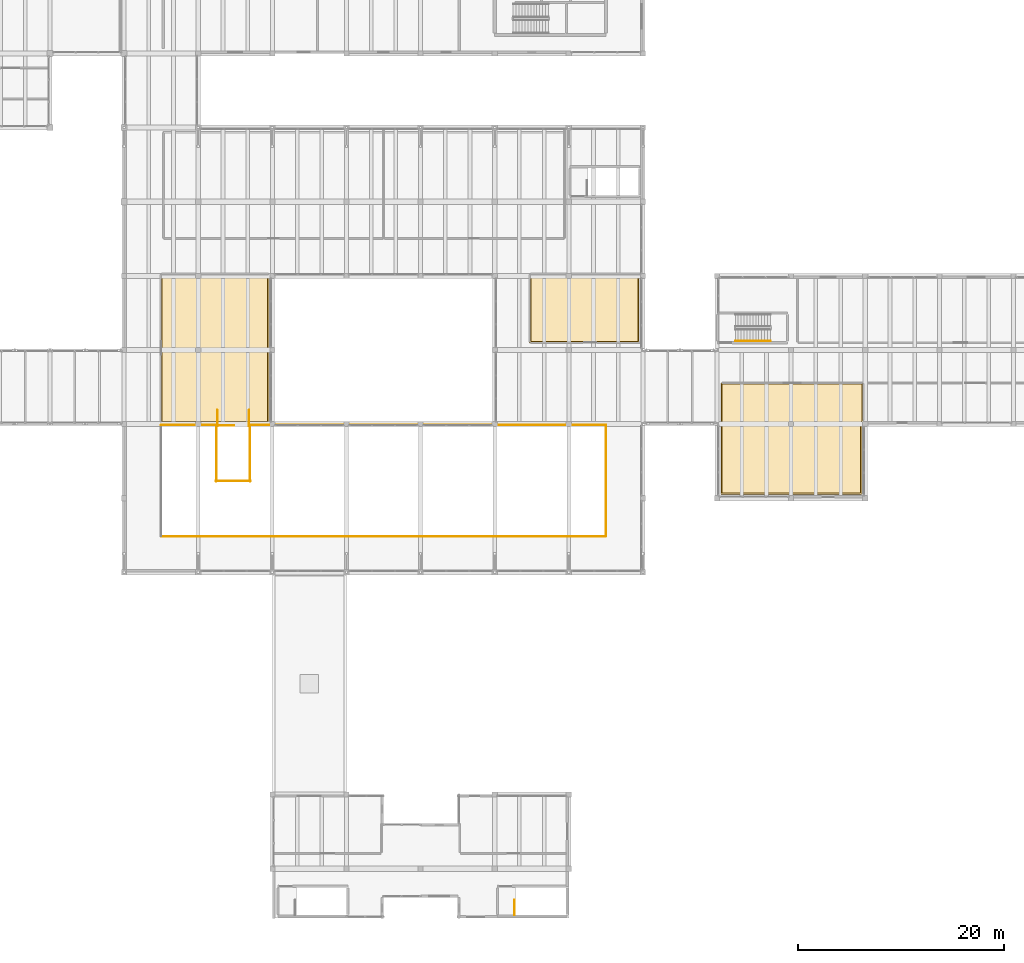
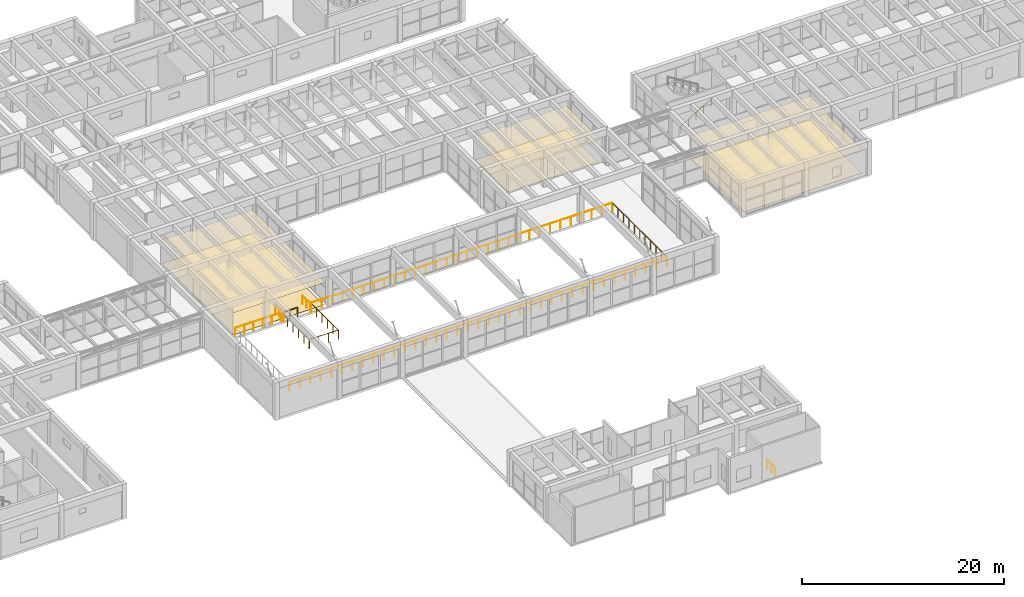
# One storey, part 147 of 153: 12 railings, 6 coverings.
"""IFC4 building model written with IfcOpenShell, lengths in metres."""

from ifc_helpers import new_model, si_unit, direction, frame, origin, origin_2d, place, context, subcontext, project, spatial, polyline, circle, outline, extrude, material, layer, layer_set, type_object, element, save


model = new_model("IFC4")

# Units and contexts
model_context = context("Model", 3, precision=1e-05, world=origin(), true_north=direction((0.0, 1.0)))
body_context = subcontext(model_context, "Body", "Model", "MODEL_VIEW")
ifc_project = project(units=[si_unit("LENGTHUNIT", "METRE"), si_unit("AREAUNIT", "SQUARE_METRE"), si_unit("VOLUMEUNIT", "CUBIC_METRE"), si_unit("PLANEANGLEUNIT", "RADIAN"), si_unit("MASSUNIT", "GRAM", prefix="KILO")], contexts=[model_context])

# Site, building, storey
site_placement = place(None, origin())
site = spatial("IfcSite", under=ifc_project, at=site_placement, CompositionType="ELEMENT")
building_placement = place(site_placement, origin())
building = spatial("IfcBuilding", under=site, at=building_placement, Name="Bramvelor Terrace Health Centre", CompositionType="ELEMENT")
storey_placement = place(building_placement, frame((0.0, 0.0, 4.800048828125)))
storey = spatial("IfcBuildingStorey", under=building, at=storey_placement, Name="L02", CompositionType="ELEMENT", Elevation=4.800048828125)

# Coverings
ifc_material_1 = material(Name="Hygienic mineral-fibre acoustic ceiling", Category="gypsum")
ifc_layer_1 = layer(ifc_material_1, 0.02001953125)
ifc_layer_set_1 = layer_set([ifc_layer_1], Name="Hygienic mineral-fibre acoustic ceiling")
covering_type_1 = type_object("IfcCoveringType", Name="COV-CLG-ACT", PredefinedType="CEILING", material=ifc_layer_set_1)
covering_1_placement = place(storey_placement, frame((0.0, 0.0, 2.75)))
element("IfcCovering", 1, at=covering_1_placement, inside=storey, type_object=covering_type_1, Name="L02 Community Nutrition Teaching Studio Acoustic Ceiling", PredefinedType="CEILING", context=body_context, shape_type="SweptSolid", body=[
    extrude(outline(polyline([(57.299560546875, 65.01806640625), (57.301513671875, 65.017822265625), (57.303466796875, 65.017578125), (57.305419921875, 65.01708984375), (57.30712890625, 65.0166015625), (57.308837890625, 65.015625), (57.310546875, 65.0146484375), (57.31201171875, 65.013427734375), (57.313720703125, 65.01220703125), (57.31494140625, 65.0107421875), (57.316162109375, 65.009033203125), (57.317138671875, 65.007568359375), (57.31787109375, 65.005615234375), (57.318603515625, 65.00390625), (57.319091796875, 65.001953125), (57.3193359375, 65.0), (57.319580078125, 64.998046875), (57.3193359375, 64.99609375), (57.319091796875, 64.994140625), (57.318603515625, 64.9921875), (57.260009765625, 64.797119140625), (57.260009765625, 50.56005859375), (57.260009765625, 50.55810546875), (57.259521484375, 50.55615234375), (57.259033203125, 50.55419921875), (57.258544921875, 50.55224609375), (57.257568359375, 50.550537109375), (57.256591796875, 50.548828125), (57.255615234375, 50.54736328125), (57.254150390625, 50.5458984375), (57.252685546875, 50.54443359375), (57.251220703125, 50.54345703125), (57.24951171875, 50.54248046875), (57.247802734375, 50.54150390625), (57.245849609375, 50.541015625), (57.243896484375, 50.540283203125), (57.241943359375, 50.5400390625), (57.239990234375, 50.5400390625), (46.760009765625, 50.53759765625), (46.758056640625, 50.53759765625), (46.756103515625, 50.5380859375), (46.754150390625, 50.538330078125), (46.752197265625, 50.5390625), (46.75048828125, 50.539794921875), (46.748779296875, 50.541015625), (46.747314453125, 50.5419921875), (46.745849609375, 50.54345703125), (46.744384765625, 50.544921875), (46.743408203125, 50.54638671875), (46.742431640625, 50.548095703125), (46.741455078125, 50.5498046875), (46.740966796875, 50.5517578125), (46.740478515625, 50.5537109375), (46.739990234375, 50.5556640625), (46.739990234375, 50.5576171875), (46.739990234375, 64.998046875), (46.739990234375, 65.0), (46.740478515625, 65.001953125), (46.740966796875, 65.00390625), (46.741455078125, 65.005615234375), (46.742431640625, 65.00732421875), (46.743408203125, 65.009033203125), (46.744384765625, 65.0107421875), (46.745849609375, 65.01220703125), (46.747314453125, 65.013427734375), (46.748779296875, 65.0146484375), (46.75048828125, 65.015625), (46.752197265625, 65.0166015625), (46.754150390625, 65.01708984375), (46.756103515625, 65.017578125), (46.758056640625, 65.017822265625), (46.760009765625, 65.01806640625), (57.299560546875, 65.01806640625)])), origin(), (0.0, 0.0, 1.0), 0.02001953125),
])
covering_2_placement = place(storey_placement, frame((0.0, 0.0, 2.75)))
element("IfcCovering", 2, at=covering_2_placement, inside=storey, type_object=covering_type_1, Name="L02 Preventive Cardiology and Spirometry Clinic Acoustic Ceiling", PredefinedType="CEILING", context=body_context, shape_type="SweptSolid", body=[
    extrude(outline(polyline([(93.219970703125, 58.302001953125), (93.219970703125, 58.300048828125), (93.219482421875, 58.298095703125), (93.218994140625, 58.296142578125), (93.218505859375, 58.294189453125), (93.217529296875, 58.29248046875), (93.216552734375, 58.291015625), (93.215576171875, 58.289306640625), (93.214111328125, 58.287841796875), (93.212646484375, 58.28662109375), (93.211181640625, 58.285400390625), (93.20947265625, 58.284423828125), (93.207763671875, 58.283447265625), (93.205810546875, 58.282958984375), (93.203857421875, 58.282470703125), (93.201904296875, 58.281982421875), (93.199951171875, 58.281982421875), (82.60205078125, 58.281982421875), (82.60009765625, 58.281982421875), (82.59814453125, 58.282470703125), (82.59619140625, 58.282958984375), (82.59423828125, 58.283447265625), (82.592529296875, 58.284423828125), (82.5908203125, 58.285400390625), (82.58935546875, 58.28662109375), (82.587890625, 58.287841796875), (82.58642578125, 58.289306640625), (82.58544921875, 58.291015625), (82.58447265625, 58.29248046875), (82.58349609375, 58.294189453125), (82.5830078125, 58.296142578125), (82.58251953125, 58.298095703125), (82.58203125, 58.300048828125), (82.58203125, 58.302001953125), (82.58203125, 64.998046875), (82.58203125, 65.0), (82.58251953125, 65.001953125), (82.5830078125, 65.00390625), (82.58349609375, 65.005615234375), (82.58447265625, 65.00732421875), (82.58544921875, 65.009033203125), (82.58642578125, 65.0107421875), (82.587890625, 65.01220703125), (82.58935546875, 65.013427734375), (82.5908203125, 65.0146484375), (82.592529296875, 65.015625), (82.59423828125, 65.0166015625), (82.59619140625, 65.01708984375), (82.59814453125, 65.017578125), (82.60009765625, 65.017822265625), (82.60205078125, 65.01806640625), (93.199951171875, 65.01806640625), (93.201904296875, 65.017822265625), (93.203857421875, 65.017578125), (93.205810546875, 65.01708984375), (93.207763671875, 65.0166015625), (93.20947265625, 65.015625), (93.211181640625, 65.0146484375), (93.212646484375, 65.013427734375), (93.214111328125, 65.01220703125), (93.215576171875, 65.0107421875), (93.216552734375, 65.009033203125), (93.217529296875, 65.00732421875), (93.218505859375, 65.005615234375), (93.218994140625, 65.00390625), (93.219482421875, 65.001953125), (93.219970703125, 65.0), (93.219970703125, 64.998046875), (93.219970703125, 58.302001953125)])), origin(), (0.0, 0.0, 1.0), 0.02001953125),
])
covering_3_placement = place(storey_placement, frame((0.0, 0.0, 2.75)))
element("IfcCovering", 3, at=covering_3_placement, inside=storey, type_object=covering_type_1, Name="L02 Pre-Operative Patient Preparation Ward Acoustic Ceiling", PredefinedType="CEILING", context=body_context, shape_type="SweptSolid", body=[
    extrude(outline(polyline([(101.179931640625, 54.389892578125), (101.18017578125, 54.39208984375), (101.180419921875, 54.393798828125), (101.180908203125, 54.395751953125), (101.181396484375, 54.397705078125), (101.182373046875, 54.3994140625), (101.183349609375, 54.401123046875), (101.1845703125, 54.402587890625), (101.185791015625, 54.404052734375), (101.187255859375, 54.405517578125), (101.18896484375, 54.406494140625), (101.190673828125, 54.40771484375), (101.1923828125, 54.408447265625), (101.194091796875, 54.4091796875), (101.196044921875, 54.40966796875), (101.197998046875, 54.409912109375), (101.199951171875, 54.409912109375), (115.0, 54.409912109375), (115.001953125, 54.409912109375), (115.00390625, 54.40966796875), (115.005859375, 54.4091796875), (115.0078125, 54.408447265625), (115.009521484375, 54.40771484375), (115.010986328125, 54.406494140625), (115.0126953125, 54.405517578125), (115.01416015625, 54.404052734375), (115.015380859375, 54.402587890625), (115.0166015625, 54.401123046875), (115.017578125, 54.3994140625), (115.0185546875, 54.397705078125), (115.01904296875, 54.395751953125), (115.01953125, 54.393798828125), (115.02001953125, 54.39208984375), (115.02001953125, 54.389892578125), (115.02001953125, 50.69921875), (115.02001953125, 50.697509765625), (115.019775390625, 50.69580078125), (115.019287109375, 50.69384765625), (115.018798828125, 50.692138671875), (115.017822265625, 50.6904296875), (115.01708984375, 50.688720703125), (115.01611328125, 50.687255859375), (115.014892578125, 50.685791015625), (114.900634765625, 50.56005859375), (114.860107421875, 50.3974609375), (114.860107421875, 43.60009765625), (114.85986328125, 43.597900390625), (114.859619140625, 43.59619140625), (114.859130859375, 43.59423828125), (114.8583984375, 43.59228515625), (114.857666015625, 43.590576171875), (114.856689453125, 43.5888671875), (114.85546875, 43.58740234375), (114.85400390625, 43.5859375), (114.852783203125, 43.58447265625), (114.85107421875, 43.58349609375), (114.849365234375, 43.58251953125), (114.84765625, 43.58154296875), (114.845703125, 43.580810546875), (114.843994140625, 43.580322265625), (114.842041015625, 43.580078125), (114.840087890625, 43.580078125), (101.199951171875, 43.580078125), (101.197998046875, 43.580078125), (101.196044921875, 43.580322265625), (101.194091796875, 43.580810546875), (101.1923828125, 43.58154296875), (101.190673828125, 43.58251953125), (101.18896484375, 43.58349609375), (101.187255859375, 43.58447265625), (101.185791015625, 43.5859375), (101.1845703125, 43.58740234375), (101.183349609375, 43.5888671875), (101.182373046875, 43.590576171875), (101.181396484375, 43.59228515625), (101.180908203125, 43.59423828125), (101.180419921875, 43.59619140625), (101.18017578125, 43.597900390625), (101.179931640625, 43.60009765625), (101.179931640625, 54.389892578125)])), origin(), (0.0, 0.0, 1.0), 0.02001953125),
])
ifc_material_2 = material(Name="Seamless antimicrobial clinical vinyl", Category="polymer")
ifc_layer_2 = layer(ifc_material_2, 0.008056640625)
ifc_layer_set_2 = layer_set([ifc_layer_2], Name="Seamless antimicrobial clinical vinyl")
covering_type_2 = type_object("IfcCoveringType", Name="COV-FLR-VNL", PredefinedType="FLOORING", material=ifc_layer_set_2)
covering_4_placement = place(storey_placement, origin())
element("IfcCovering", 4, at=covering_4_placement, inside=storey, type_object=covering_type_2, Name="L02 Community Nutrition Teaching Studio Clinical Vinyl Flooring", PredefinedType="FLOORING", context=body_context, shape_type="SweptSolid", body=[
    extrude(outline(polyline([(57.1650390625, 64.89794921875), (57.144287109375, 64.828857421875), (57.141845703125, 64.8193359375), (57.140380859375, 64.809814453125), (57.139892578125, 64.800048828125), (57.139892578125, 50.659912109375), (46.860107421875, 50.65771484375), (46.860107421875, 64.89794921875), (57.1650390625, 64.89794921875)])), origin(), (0.0, 0.0, 1.0), 0.008056640625),
])
covering_5_placement = place(storey_placement, origin())
element("IfcCovering", 5, at=covering_5_placement, inside=storey, type_object=covering_type_2, Name="L02 Preventive Cardiology and Spirometry Clinic Clinical Vinyl Flooring", PredefinedType="FLOORING", context=body_context, shape_type="SweptSolid", body=[
    extrude(outline(polyline([(93.10009765625, 58.402099609375), (82.701904296875, 58.402099609375), (82.701904296875, 64.89794921875), (93.10009765625, 64.89794921875), (93.10009765625, 58.402099609375)])), origin(), (0.0, 0.0, 1.0), 0.008056640625),
])
covering_6_placement = place(storey_placement, origin())
element("IfcCovering", 6, at=covering_6_placement, inside=storey, type_object=covering_type_2, Name="L02 Pre-Operative Patient Preparation Ward Clinical Vinyl Flooring", PredefinedType="FLOORING", context=body_context, shape_type="SweptSolid", body=[
    extrude(outline(polyline([(101.300048828125, 54.2900390625), (114.89990234375, 54.2900390625), (114.89990234375, 50.73779296875), (114.808349609375, 50.636962890625), (114.80224609375, 50.62939453125), (114.796630859375, 50.62109375), (114.7919921875, 50.612548828125), (114.788330078125, 50.603515625), (114.785400390625, 50.593994140625), (114.742919921875, 50.42431640625), (114.74072265625, 50.412109375), (114.739990234375, 50.39990234375), (114.739990234375, 43.699951171875), (101.300048828125, 43.699951171875), (101.300048828125, 54.2900390625)])), origin(), (0.0, 0.0, 1.0), 0.008056640625),
])

# Railings
ifc_material_3 = material(Name="Painted galvanized steel", Category="steel")
railing_type_1 = type_object("IfcRailingType", Name="RLG-GD-1100", PredefinedType="GUARDRAIL", material=ifc_material_3)
railing_1_placement = place(storey_placement, frame((81.1201171875, 2.699951171875, 0.0)))
element("IfcRailing", 7, at=railing_1_placement, inside=storey, type_object=railing_type_1, Name="L02 ST-10 top well guard 1", PredefinedType="GUARDRAIL", context=body_context, shape_type="SweptSolid", body=[
    extrude(circle(Radius=0.02392578125, at=origin_2d()), frame((0.0, 0.0, 1.076171875), z_axis=(0.0, 1.0, 0.0), x_axis=(-1.0, 0.0, 0.0)), (0.0, 0.0, 1.0), 1.449951171875),
    extrude(circle(Radius=0.02099609375, at=origin_2d()), origin(), (0.0, 0.0, 1.0), 1.052001953125),
    extrude(circle(Radius=0.02099609375, at=origin_2d()), frame((0.0, 0.72509765625, 0.0)), (0.0, 0.0, 1.0), 1.052001953125),
    extrude(circle(Radius=0.02099609375, at=origin_2d()), frame((0.0, 1.449951171875, 0.0)), (0.0, 0.0, 1.0), 1.052001953125),
])
railing_2_placement = place(storey_placement, frame((52.199951171875, 50.25, 0.0)))
element("IfcRailing", 8, at=railing_2_placement, inside=storey, type_object=railing_type_1, Name="L02 ST-11 top well guard 1", PredefinedType="GUARDRAIL", context=body_context, shape_type="SweptSolid", body=[
    extrude(circle(Radius=0.02392578125, at=origin_2d()), frame((0.0, 0.0, 1.076171875), z_axis=(1.0, 0.0, 0.0), x_axis=(0.0, 1.0, 0.0)), (0.0, 0.0, 1.0), 1.699951171875),
    extrude(circle(Radius=0.02099609375, at=origin_2d()), origin(), (0.0, 0.0, 1.0), 1.052001953125),
    extrude(circle(Radius=0.02099609375, at=origin_2d()), frame((0.85009765625, 0.0, 0.0)), (0.0, 0.0, 1.0), 1.052001953125),
    extrude(circle(Radius=0.02099609375, at=origin_2d()), frame((1.699951171875, 0.0, 0.0)), (0.0, 0.0, 1.0), 1.052001953125),
])
for number, where, name in (
    (9, (52.14990234375, 50.300048828125, 0.0), "L02 ST-11 top well guard 2"),
    (10, (55.449951171875, 50.300048828125, 0.0), "L02 ST-11 top well guard 3"),
):
    element("IfcRailing", number, at=place(storey_placement, frame(where)), inside=storey, type_object=railing_type_1, Name=name, PredefinedType="GUARDRAIL", context=body_context, shape_type="SweptSolid", body=[
        extrude(circle(Radius=0.02392578125, at=origin_2d()), frame((0.0, 0.0, 1.076171875), z_axis=(0.0, -1.0, 0.0), x_axis=(1.0, 0.0, 0.0)), (0.0, 0.0, 1.0), 5.469970703125),
        extrude(circle(Radius=0.02099609375, at=origin_2d()), origin(), (0.0, 0.0, 1.0), 1.052001953125),
        extrude(circle(Radius=0.02099609375, at=origin_2d()), frame((0.0, -1.093994140625, 0.0)), (0.0, 0.0, 1.0), 1.052001953125),
        extrude(circle(Radius=0.02099609375, at=origin_2d()), frame((0.0, -2.18798828125, 0.0)), (0.0, 0.0, 1.0), 1.052001953125),
        extrude(circle(Radius=0.02099609375, at=origin_2d()), frame((0.0, -3.281982421875, 0.0)), (0.0, 0.0, 1.0), 1.052001953125),
        extrude(circle(Radius=0.02099609375, at=origin_2d()), frame((0.0, -4.3759765625, 0.0)), (0.0, 0.0, 1.0), 1.052001953125),
        extrude(circle(Radius=0.02099609375, at=origin_2d()), frame((0.0, -5.469970703125, 0.0)), (0.0, 0.0, 1.0), 1.052001953125),
    ])
railing_3_placement = place(storey_placement, frame((52.10009765625, 44.8798828125, 0.0)))
element("IfcRailing", 11, at=railing_3_placement, inside=storey, type_object=railing_type_1, Name="L02 ST-11 top well guard 4", PredefinedType="GUARDRAIL", context=body_context, shape_type="SweptSolid", body=[
    extrude(circle(Radius=0.02392578125, at=origin_2d()), frame((0.0, 0.0, 1.076171875), z_axis=(1.0, 0.0, 0.0), x_axis=(0.0, 1.0, 0.0)), (0.0, 0.0, 1.0), 3.39990234375),
    extrude(circle(Radius=0.02099609375, at=origin_2d()), origin(), (0.0, 0.0, 1.0), 1.052001953125),
    extrude(circle(Radius=0.02099609375, at=origin_2d()), frame((1.13330078125, 0.0, 0.0)), (0.0, 0.0, 1.0), 1.052001953125),
    extrude(circle(Radius=0.02099609375, at=origin_2d()), frame((2.2666015625, 0.0, 0.0)), (0.0, 0.0, 1.0), 1.052001953125),
    extrude(circle(Radius=0.02099609375, at=origin_2d()), frame((3.39990234375, 0.0, 0.0)), (0.0, 0.0, 1.0), 1.052001953125),
])
for number, where, name in (
    (12, (52.25, 51.75, 0.0), "L02 ST-11 top well guard 5"),
    (13, (55.35009765625, 51.75, 0.0), "L02 ST-11 top well guard 6"),
):
    element("IfcRailing", number, at=place(storey_placement, frame(where)), inside=storey, type_object=railing_type_1, Name=name, PredefinedType="GUARDRAIL", context=body_context, shape_type="SweptSolid", body=[
        extrude(circle(Radius=0.02392578125, at=origin_2d()), frame((0.0, 0.0, 1.076171875), z_axis=(0.0, -1.0, 0.0), x_axis=(1.0, 0.0, 0.0)), (0.0, 0.0, 1.0), 1.550048828125),
        extrude(circle(Radius=0.02099609375, at=origin_2d()), origin(), (0.0, 0.0, 1.0), 1.052001953125),
        extrude(circle(Radius=0.02099609375, at=origin_2d()), frame((0.0, -0.77490234375, 0.0)), (0.0, 0.0, 1.0), 1.052001953125),
        extrude(circle(Radius=0.02099609375, at=origin_2d()), frame((0.0, -1.550048828125, 0.0)), (0.0, 0.0, 1.0), 1.052001953125),
    ])
railing_4_placement = place(storey_placement, frame((46.800048828125, 50.300048828125, 0.0)))
element("IfcRailing", 14, at=railing_4_placement, inside=storey, type_object=railing_type_1, Name="L02 Waiting Hall Void Guardrail 1", PredefinedType="GUARDRAIL", context=body_context, shape_type="SweptSolid", body=[
    extrude(circle(Radius=0.02392578125, at=origin_2d()), frame((0.0, 0.0, 1.076171875), z_axis=(1.0, 0.0, 0.0), x_axis=(0.0, 1.0, 0.0)), (0.0, 0.0, 1.0), 5.25),
    extrude(circle(Radius=0.02099609375, at=origin_2d()), origin(), (0.0, 0.0, 1.0), 1.052001953125),
    extrude(circle(Radius=0.02099609375, at=origin_2d()), frame((1.050048828125, 0.0, 0.0)), (0.0, 0.0, 1.0), 1.052001953125),
    extrude(circle(Radius=0.02099609375, at=origin_2d()), frame((2.10009765625, 0.0, 0.0)), (0.0, 0.0, 1.0), 1.052001953125),
    extrude(circle(Radius=0.02099609375, at=origin_2d()), frame((3.14990234375, 0.0, 0.0)), (0.0, 0.0, 1.0), 1.052001953125),
    extrude(circle(Radius=0.02099609375, at=origin_2d()), frame((4.199951171875, 0.0, 0.0)), (0.0, 0.0, 1.0), 1.052001953125),
    extrude(circle(Radius=0.02099609375, at=origin_2d()), frame((5.25, 0.0, 0.0)), (0.0, 0.0, 1.0), 1.052001953125),
])
railing_5_placement = place(storey_placement, frame((55.550048828125, 50.300048828125, 0.0)))
element("IfcRailing", 15, at=railing_5_placement, inside=storey, type_object=railing_type_1, Name="L02 Waiting Hall Void Guardrail 2", PredefinedType="GUARDRAIL", context=body_context, shape_type="SweptSolid", body=[
    extrude(circle(Radius=0.02392578125, at=origin_2d()), frame((0.0, 0.0, 1.076171875), z_axis=(1.0, 0.0, 0.0), x_axis=(0.0, 1.0, 0.0)), (0.0, 0.0, 1.0), 34.449951171875),
    extrude(circle(Radius=0.02099609375, at=origin_2d()), origin(), (0.0, 0.0, 1.0), 1.052001953125),
    extrude(circle(Radius=0.02099609375, at=origin_2d()), frame((1.18798828125, 0.0, 0.0)), (0.0, 0.0, 1.0), 1.052001953125),
    extrude(circle(Radius=0.02099609375, at=origin_2d()), frame((2.3759765625, 0.0, 0.0)), (0.0, 0.0, 1.0), 1.052001953125),
    extrude(circle(Radius=0.02099609375, at=origin_2d()), frame((3.563720703125, 0.0, 0.0)), (0.0, 0.0, 1.0), 1.052001953125),
    extrude(circle(Radius=0.02099609375, at=origin_2d()), frame((4.751708984375, 0.0, 0.0)), (0.0, 0.0, 1.0), 1.052001953125),
    extrude(circle(Radius=0.02099609375, at=origin_2d()), frame((5.939697265625, 0.0, 0.0)), (0.0, 0.0, 1.0), 1.052001953125),
    extrude(circle(Radius=0.02099609375, at=origin_2d()), frame((7.127685546875, 0.0, 0.0)), (0.0, 0.0, 1.0), 1.052001953125),
    extrude(circle(Radius=0.02099609375, at=origin_2d()), frame((8.3154296875, 0.0, 0.0)), (0.0, 0.0, 1.0), 1.052001953125),
    extrude(circle(Radius=0.02099609375, at=origin_2d()), frame((9.50341796875, 0.0, 0.0)), (0.0, 0.0, 1.0), 1.052001953125),
    extrude(circle(Radius=0.02099609375, at=origin_2d()), frame((10.69140625, 0.0, 0.0)), (0.0, 0.0, 1.0), 1.052001953125),
    extrude(circle(Radius=0.02099609375, at=origin_2d()), frame((11.87939453125, 0.0, 0.0)), (0.0, 0.0, 1.0), 1.052001953125),
    extrude(circle(Radius=0.02099609375, at=origin_2d()), frame((13.067138671875, 0.0, 0.0)), (0.0, 0.0, 1.0), 1.052001953125),
    extrude(circle(Radius=0.02099609375, at=origin_2d()), frame((14.255126953125, 0.0, 0.0)), (0.0, 0.0, 1.0), 1.052001953125),
    extrude(circle(Radius=0.02099609375, at=origin_2d()), frame((15.443115234375, 0.0, 0.0)), (0.0, 0.0, 1.0), 1.052001953125),
    extrude(circle(Radius=0.02099609375, at=origin_2d()), frame((16.631103515625, 0.0, 0.0)), (0.0, 0.0, 1.0), 1.052001953125),
    extrude(circle(Radius=0.02099609375, at=origin_2d()), frame((17.81884765625, 0.0, 0.0)), (0.0, 0.0, 1.0), 1.052001953125),
    extrude(circle(Radius=0.02099609375, at=origin_2d()), frame((19.0068359375, 0.0, 0.0)), (0.0, 0.0, 1.0), 1.052001953125),
    extrude(circle(Radius=0.02099609375, at=origin_2d()), frame((20.19482421875, 0.0, 0.0)), (0.0, 0.0, 1.0), 1.052001953125),
    extrude(circle(Radius=0.02099609375, at=origin_2d()), frame((21.3828125, 0.0, 0.0)), (0.0, 0.0, 1.0), 1.052001953125),
    extrude(circle(Radius=0.02099609375, at=origin_2d()), frame((22.570556640625, 0.0, 0.0)), (0.0, 0.0, 1.0), 1.052001953125),
    extrude(circle(Radius=0.02099609375, at=origin_2d()), frame((23.758544921875, 0.0, 0.0)), (0.0, 0.0, 1.0), 1.052001953125),
    extrude(circle(Radius=0.02099609375, at=origin_2d()), frame((24.946533203125, 0.0, 0.0)), (0.0, 0.0, 1.0), 1.052001953125),
    extrude(circle(Radius=0.02099609375, at=origin_2d()), frame((26.134521484375, 0.0, 0.0)), (0.0, 0.0, 1.0), 1.052001953125),
    extrude(circle(Radius=0.02099609375, at=origin_2d()), frame((27.322265625, 0.0, 0.0)), (0.0, 0.0, 1.0), 1.052001953125),
    extrude(circle(Radius=0.02099609375, at=origin_2d()), frame((28.51025390625, 0.0, 0.0)), (0.0, 0.0, 1.0), 1.052001953125),
    extrude(circle(Radius=0.02099609375, at=origin_2d()), frame((29.6982421875, 0.0, 0.0)), (0.0, 0.0, 1.0), 1.052001953125),
    extrude(circle(Radius=0.02099609375, at=origin_2d()), frame((30.88623046875, 0.0, 0.0)), (0.0, 0.0, 1.0), 1.052001953125),
    extrude(circle(Radius=0.02099609375, at=origin_2d()), frame((32.073974609375, 0.0, 0.0)), (0.0, 0.0, 1.0), 1.052001953125),
    extrude(circle(Radius=0.02099609375, at=origin_2d()), frame((33.261962890625, 0.0, 0.0)), (0.0, 0.0, 1.0), 1.052001953125),
    extrude(circle(Radius=0.02099609375, at=origin_2d()), frame((34.449951171875, 0.0, 0.0)), (0.0, 0.0, 1.0), 1.052001953125),
])
railing_6_placement = place(storey_placement, frame((90.0, 50.300048828125, 0.0)))
element("IfcRailing", 16, at=railing_6_placement, inside=storey, type_object=railing_type_1, Name="L02 Waiting Hall Void Guardrail 3", PredefinedType="GUARDRAIL", context=body_context, shape_type="SweptSolid", body=[
    extrude(circle(Radius=0.02392578125, at=origin_2d()), frame((0.0, 0.0, 1.076171875), z_axis=(0.0, -1.0, 0.0), x_axis=(1.0, 0.0, 0.0)), (0.0, 0.0, 1.0), 10.800048828125),
    extrude(circle(Radius=0.02099609375, at=origin_2d()), origin(), (0.0, 0.0, 1.0), 1.052001953125),
    extrude(circle(Radius=0.02099609375, at=origin_2d()), frame((0.0, -1.080078125, 0.0)), (0.0, 0.0, 1.0), 1.052001953125),
    extrude(circle(Radius=0.02099609375, at=origin_2d()), frame((0.0, -2.159912109375, 0.0)), (0.0, 0.0, 1.0), 1.052001953125),
    extrude(circle(Radius=0.02099609375, at=origin_2d()), frame((0.0, -3.239990234375, 0.0)), (0.0, 0.0, 1.0), 1.052001953125),
    extrude(circle(Radius=0.02099609375, at=origin_2d()), frame((0.0, -4.320068359375, 0.0)), (0.0, 0.0, 1.0), 1.052001953125),
    extrude(circle(Radius=0.02099609375, at=origin_2d()), frame((0.0, -5.39990234375, 0.0)), (0.0, 0.0, 1.0), 1.052001953125),
    extrude(circle(Radius=0.02099609375, at=origin_2d()), frame((0.0, -6.47998046875, 0.0)), (0.0, 0.0, 1.0), 1.052001953125),
    extrude(circle(Radius=0.02099609375, at=origin_2d()), frame((0.0, -7.56005859375, 0.0)), (0.0, 0.0, 1.0), 1.052001953125),
    extrude(circle(Radius=0.02099609375, at=origin_2d()), frame((0.0, -8.64013671875, 0.0)), (0.0, 0.0, 1.0), 1.052001953125),
    extrude(circle(Radius=0.02099609375, at=origin_2d()), frame((0.0, -9.719970703125, 0.0)), (0.0, 0.0, 1.0), 1.052001953125),
    extrude(circle(Radius=0.02099609375, at=origin_2d()), frame((0.0, -10.800048828125, 0.0)), (0.0, 0.0, 1.0), 1.052001953125),
])
railing_7_placement = place(storey_placement, frame((90.0, 39.5, 0.0)))
element("IfcRailing", 17, at=railing_7_placement, inside=storey, type_object=railing_type_1, Name="L02 Waiting Hall Void Guardrail 4", PredefinedType="GUARDRAIL", context=body_context, shape_type="SweptSolid", body=[
    extrude(circle(Radius=0.02392578125, at=origin_2d()), frame((0.0, 0.0, 1.076171875), z_axis=(-1.0, 0.0, 0.0), x_axis=(0.0, -1.0, 0.0)), (0.0, 0.0, 1.0), 43.199951171875),
    extrude(circle(Radius=0.02099609375, at=origin_2d()), origin(), (0.0, 0.0, 1.0), 1.052001953125),
    extrude(circle(Radius=0.02099609375, at=origin_2d()), frame((-1.199951171875, 0.0, 0.0)), (0.0, 0.0, 1.0), 1.052001953125),
    extrude(circle(Radius=0.02099609375, at=origin_2d()), frame((-2.39990234375, 0.0, 0.0)), (0.0, 0.0, 1.0), 1.052001953125),
    extrude(circle(Radius=0.02099609375, at=origin_2d()), frame((-3.60009765625, 0.0, 0.0)), (0.0, 0.0, 1.0), 1.052001953125),
    extrude(circle(Radius=0.02099609375, at=origin_2d()), frame((-4.800048828125, 0.0, 0.0)), (0.0, 0.0, 1.0), 1.052001953125),
    extrude(circle(Radius=0.02099609375, at=origin_2d()), frame((-6.0, 0.0, 0.0)), (0.0, 0.0, 1.0), 1.052001953125),
    extrude(circle(Radius=0.02099609375, at=origin_2d()), frame((-7.199951171875, 0.0, 0.0)), (0.0, 0.0, 1.0), 1.052001953125),
    extrude(circle(Radius=0.02099609375, at=origin_2d()), frame((-8.39990234375, 0.0, 0.0)), (0.0, 0.0, 1.0), 1.052001953125),
    extrude(circle(Radius=0.02099609375, at=origin_2d()), frame((-9.60009765625, 0.0, 0.0)), (0.0, 0.0, 1.0), 1.052001953125),
    extrude(circle(Radius=0.02099609375, at=origin_2d()), frame((-10.800048828125, 0.0, 0.0)), (0.0, 0.0, 1.0), 1.052001953125),
    extrude(circle(Radius=0.02099609375, at=origin_2d()), frame((-12.0, 0.0, 0.0)), (0.0, 0.0, 1.0), 1.052001953125),
    extrude(circle(Radius=0.02099609375, at=origin_2d()), frame((-13.199951171875, 0.0, 0.0)), (0.0, 0.0, 1.0), 1.052001953125),
    extrude(circle(Radius=0.02099609375, at=origin_2d()), frame((-14.39990234375, 0.0, 0.0)), (0.0, 0.0, 1.0), 1.052001953125),
    extrude(circle(Radius=0.02099609375, at=origin_2d()), frame((-15.60009765625, 0.0, 0.0)), (0.0, 0.0, 1.0), 1.052001953125),
    extrude(circle(Radius=0.02099609375, at=origin_2d()), frame((-16.800048828125, 0.0, 0.0)), (0.0, 0.0, 1.0), 1.052001953125),
    extrude(circle(Radius=0.02099609375, at=origin_2d()), frame((-18.0, 0.0, 0.0)), (0.0, 0.0, 1.0), 1.052001953125),
    extrude(circle(Radius=0.02099609375, at=origin_2d()), frame((-19.199951171875, 0.0, 0.0)), (0.0, 0.0, 1.0), 1.052001953125),
    extrude(circle(Radius=0.02099609375, at=origin_2d()), frame((-20.39990234375, 0.0, 0.0)), (0.0, 0.0, 1.0), 1.052001953125),
    extrude(circle(Radius=0.02099609375, at=origin_2d()), frame((-21.60009765625, 0.0, 0.0)), (0.0, 0.0, 1.0), 1.052001953125),
    extrude(circle(Radius=0.02099609375, at=origin_2d()), frame((-22.800048828125, 0.0, 0.0)), (0.0, 0.0, 1.0), 1.052001953125),
    extrude(circle(Radius=0.02099609375, at=origin_2d()), frame((-24.0, 0.0, 0.0)), (0.0, 0.0, 1.0), 1.052001953125),
    extrude(circle(Radius=0.02099609375, at=origin_2d()), frame((-25.199951171875, 0.0, 0.0)), (0.0, 0.0, 1.0), 1.052001953125),
    extrude(circle(Radius=0.02099609375, at=origin_2d()), frame((-26.39990234375, 0.0, 0.0)), (0.0, 0.0, 1.0), 1.052001953125),
    extrude(circle(Radius=0.02099609375, at=origin_2d()), frame((-27.599853515625, 0.0, 0.0)), (0.0, 0.0, 1.0), 1.052001953125),
    extrude(circle(Radius=0.02099609375, at=origin_2d()), frame((-28.800048828125, 0.0, 0.0)), (0.0, 0.0, 1.0), 1.052001953125),
    extrude(circle(Radius=0.02099609375, at=origin_2d()), frame((-30.0, 0.0, 0.0)), (0.0, 0.0, 1.0), 1.052001953125),
    extrude(circle(Radius=0.02099609375, at=origin_2d()), frame((-31.199951171875, 0.0, 0.0)), (0.0, 0.0, 1.0), 1.052001953125),
    extrude(circle(Radius=0.02099609375, at=origin_2d()), frame((-32.39990234375, 0.0, 0.0)), (0.0, 0.0, 1.0), 1.052001953125),
    extrude(circle(Radius=0.02099609375, at=origin_2d()), frame((-33.599853515625, 0.0, 0.0)), (0.0, 0.0, 1.0), 1.052001953125),
    extrude(circle(Radius=0.02099609375, at=origin_2d()), frame((-34.800048828125, 0.0, 0.0)), (0.0, 0.0, 1.0), 1.052001953125),
    extrude(circle(Radius=0.02099609375, at=origin_2d()), frame((-36.0, 0.0, 0.0)), (0.0, 0.0, 1.0), 1.052001953125),
    extrude(circle(Radius=0.02099609375, at=origin_2d()), frame((-37.199951171875, 0.0, 0.0)), (0.0, 0.0, 1.0), 1.052001953125),
    extrude(circle(Radius=0.02099609375, at=origin_2d()), frame((-38.39990234375, 0.0, 0.0)), (0.0, 0.0, 1.0), 1.052001953125),
    extrude(circle(Radius=0.02099609375, at=origin_2d()), frame((-39.599853515625, 0.0, 0.0)), (0.0, 0.0, 1.0), 1.052001953125),
    extrude(circle(Radius=0.02099609375, at=origin_2d()), frame((-40.800048828125, 0.0, 0.0)), (0.0, 0.0, 1.0), 1.052001953125),
    extrude(circle(Radius=0.02099609375, at=origin_2d()), frame((-42.0, 0.0, 0.0)), (0.0, 0.0, 1.0), 1.052001953125),
    extrude(circle(Radius=0.02099609375, at=origin_2d()), frame((-43.199951171875, 0.0, 0.0)), (0.0, 0.0, 1.0), 1.052001953125),
])
ifc_material_4 = material(Name="Brushed stainless steel 316", Category="steel")
railing_type_2 = type_object("IfcRailingType", Name="RLG-HR-900", PredefinedType="HANDRAIL", material=ifc_material_4)
railing_8_placement = place(storey_placement, frame((102.570068359375, 58.449951171875, 0.173095703125)))
element("IfcRailing", 18, at=railing_8_placement, inside=storey, type_object=railing_type_2, Name="L02 ST-5 stair handrail 1", PredefinedType="HANDRAIL", context=body_context, shape_type="SweptSolid", body=[
    extrude(circle(Radius=0.02392578125, at=origin_2d()), frame((0.0, 0.0, 0.8759765625), z_axis=(0.854729506542, 0.0, 0.519073665916), x_axis=(0.0, 1.0, 0.0)), (0.0, 0.0, 1.0), 4.001220703125),
    extrude(circle(Radius=0.02099609375, at=origin_2d()), origin(), (0.0, 0.0, 1.0), 0.851806640625),
    extrude(circle(Radius=0.02099609375, at=origin_2d()), frame((0.85498046875, 0.0, 0.519287109375)), (0.0, 0.0, 1.0), 0.851806640625),
    extrude(circle(Radius=0.02099609375, at=origin_2d()), frame((1.7099609375, 0.0, 1.03857421875)), (0.0, 0.0, 1.0), 0.851806640625),
    extrude(circle(Radius=0.02099609375, at=origin_2d()), frame((2.56494140625, 0.0, 1.5576171875)), (0.0, 0.0, 1.0), 0.851806640625),
    extrude(circle(Radius=0.02099609375, at=origin_2d()), frame((3.419921875, 0.0, 2.076904296875)), (0.0, 0.0, 1.0), 0.851806640625),
])

save(model, "model.ifc")
